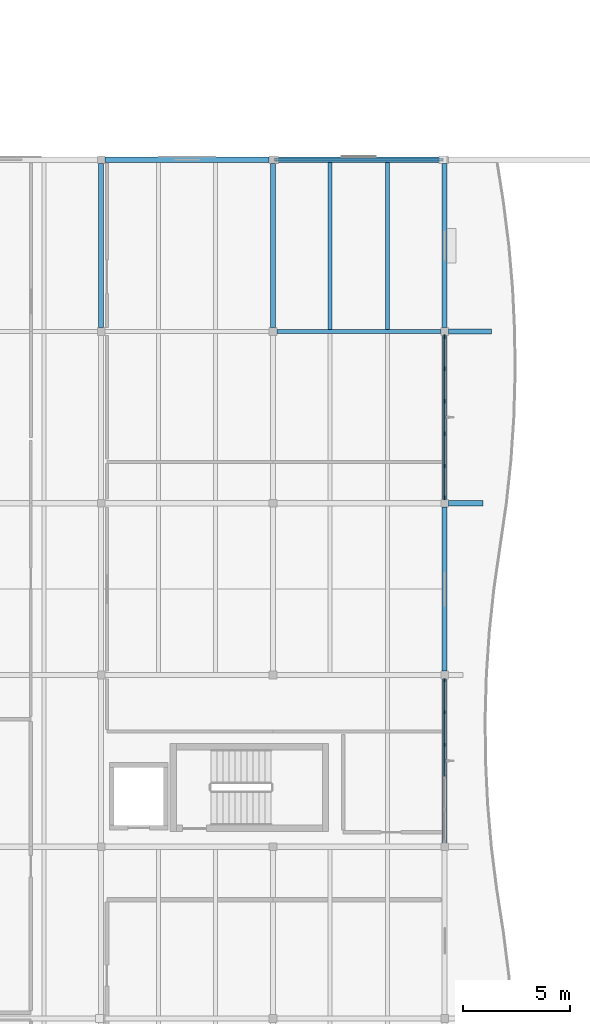
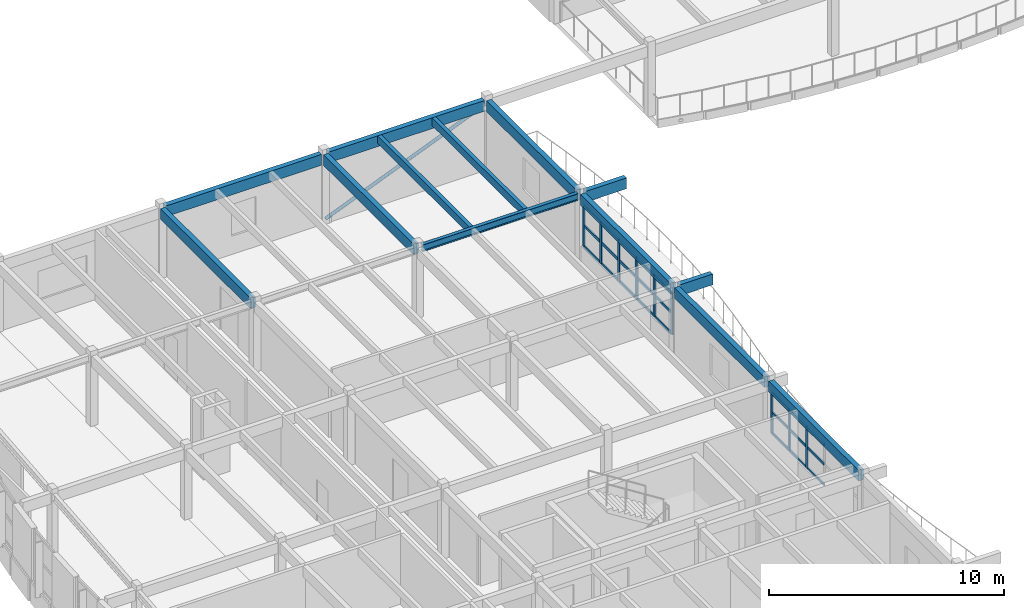
# One storey, part 12 of 63: 34 members, 13 beams, 2 elements without a shape of their own.
"""IFC4 building model written with IfcOpenShell, lengths in metres."""

from ifc_helpers import new_model, si_unit, direction, frame, origin, origin_2d, place, context, subcontext, project, spatial, rectangle, hollow_circle, i_section, extrude, material, layer, layer_set, material_profile, profile_set, type_object, element, aggregate, save


model = new_model("IFC4")

# Units and contexts
model_context = context("Model", 3, precision=1e-05, world=origin(), true_north=direction((0.0, 1.0)))
body_context = subcontext(model_context, "Body", "Model", "MODEL_VIEW")
ifc_project = project(units=[si_unit("LENGTHUNIT", "METRE"), si_unit("AREAUNIT", "SQUARE_METRE"), si_unit("VOLUMEUNIT", "CUBIC_METRE"), si_unit("PLANEANGLEUNIT", "RADIAN"), si_unit("MASSUNIT", "GRAM", prefix="KILO")], contexts=[model_context])

# Site, building, storey
site_placement = place(None, origin())
site = spatial("IfcSite", under=ifc_project, at=site_placement, CompositionType="ELEMENT")
building_placement = place(site_placement, origin())
building = spatial("IfcBuilding", under=site, at=building_placement, Name="Tonlespit Floodbar School", CompositionType="ELEMENT")
storey_placement = place(building_placement, frame((0.0, 0.0, 8.39990234375)))
storey = spatial("IfcBuildingStorey", under=building, at=storey_placement, Name="L02", CompositionType="ELEMENT", Elevation=8.39990234375)

# Beams
ifc_material_1 = material(Name="Glulam GL28h", Category="wood")
ifc_material_profile_1 = material_profile(ifc_material_1, rectangle(XDim=0.239990234375, YDim=0.56005859375, at=origin_2d()), Name="GL 240x560")
ifc_profile_set_1 = profile_set([ifc_material_profile_1], Name="Glulam GL28h")
beam_type_1 = type_object("IfcBeamType", Name="Beam_GL_240x560", PredefinedType="BEAM", material=ifc_profile_set_1)
for number, where, z_axis, x_axis, name in (
    (1, (20.179931640625, 96.0, 3.3701171875), (1.0, 0.0, 0.0), (0.0, 1.0, 0.0), "L02 girder 0954"),
    (2, (28.179931640625, 96.0, 3.3701171875), (1.0, 0.0, 0.0), (0.0, 1.0, 0.0), "L02 girder 0955"),
    (3, (20.0, 88.179931640625, 3.3701171875), (0.0, 1.0, 0.0), (-1.0, 0.0, 0.0), "L02 girder 1016"),
    (4, (28.0, 88.179931640625, 3.3701171875), (0.0, 1.0, 0.0), (-1.0, 0.0, 0.0), "L02 girder 1024"),
    (5, (36.0, 64.179931640625, 3.3701171875), (0.0, 1.0, 0.0), (-1.0, 0.0, 0.0), "L02 girder 1028"),
    (6, (36.0, 72.179931640625, 3.3701171875), (0.0, 1.0, 0.0), (-1.0, 0.0, 0.0), "L02 girder 1029"),
    (7, (36.0, 80.179931640625, 3.3701171875), (0.0, 1.0, 0.0), (-1.0, 0.0, 0.0), "L02 girder 1030"),
    (8, (36.0, 88.179931640625, 3.3701171875), (0.0, 1.0, 0.0), (-1.0, 0.0, 0.0), "L02 girder 1031"),
):
    element("IfcBeam", number, at=place(storey_placement, frame(where, z_axis=z_axis, x_axis=x_axis)), inside=storey, type_object=beam_type_1, Name=name, PredefinedType="BEAM", context=body_context, shape_type="SweptSolid", body=[
        extrude(rectangle(XDim=0.239990234375, YDim=0.56005859375, at=origin_2d()), origin(), (0.0, 0.0, 1.0), 7.64013671875),
    ])
beam_1_placement = place(storey_placement, frame((36.179931640625, 80.0, 3.3759765625), z_axis=(1.0, 0.0, 0.0), x_axis=(0.0, 1.0, 0.0)))
element("IfcBeam", 9, at=beam_1_placement, inside=storey, type_object=beam_type_1, Name="L02 V2 court gallery cantilever rib", PredefinedType="BEAM", context=body_context, shape_type="SweptSolid", body=[
    extrude(rectangle(XDim=0.239990234375, YDim=0.56005859375, at=origin_2d()), origin(), (0.0, 0.0, 1.0), 1.611572265625),
])
beam_2_placement = place(storey_placement, frame((36.179931640625, 88.0, 3.3759765625), z_axis=(1.0, 0.0, 0.0), x_axis=(0.0, 1.0, 0.0)))
element("IfcBeam", 10, at=beam_2_placement, inside=storey, type_object=beam_type_1, Name="L02 V2 court gallery cantilever rib", PredefinedType="BEAM", context=body_context, shape_type="SweptSolid", body=[
    extrude(rectangle(XDim=0.239990234375, YDim=0.56005859375, at=origin_2d()), origin(), (0.0, 0.0, 1.0), 1.997802734375),
])

# Member
ifc_material_2 = material(Name="Steel S355", Category="steel")
ifc_material_profile_2 = material_profile(ifc_material_2, hollow_circle(Radius=0.084228515625, WallThickness=0.008056640625, at=origin_2d()), Name="CHS 168.3x8")
ifc_profile_set_2 = profile_set([ifc_material_profile_2], Name="Steel S355")
member_type_1 = type_object("IfcMemberType", Name="Brace_STL_CHS168", PredefinedType="BRACE", material=ifc_profile_set_2)
member_1_placement = place(storey_placement, frame((28.080078125, 96.0, 0.150146484375), z_axis=(0.92584702609, 0.0, 0.377898510556), x_axis=(0.0, 1.0, 0.0)))
element("IfcMember", 11, at=member_1_placement, inside=storey, type_object=member_type_1, Name="L02 exposed deconstructivist lateral brace 2", PredefinedType="BRACE", context=body_context, shape_type="SweptSolid", body=[
    extrude(hollow_circle(Radius=0.084228515625, WallThickness=0.008056640625, at=origin_2d()), origin(), (0.0, 0.0, 1.0), 8.4677734375),
])

# Curtain wall, members
ifc_material_3 = material(Name="Anodised Aluminium", Category="aluminium")
ifc_layer = layer(ifc_material_3, 0.159912109375)
ifc_layer_set = layer_set([ifc_layer], Name="Anodised Aluminium")
curtain_wall_type = type_object("IfcCurtainWallType", Name="CurtainWall_7550x2150", PredefinedType="NOTDEFINED", material=ifc_layer_set)
curtain_wall_1_placement = place(storey_placement, origin())
curtain_wall_1 = element("IfcCurtainWall", 12, at=curtain_wall_1_placement, inside=storey, type_object=curtain_wall_type, Name="L02 unitised curtain wall 0298", PredefinedType="NOTDEFINED")
ifc_material_profile_3 = material_profile(ifc_material_3, rectangle(XDim=0.06494140625, YDim=0.14990234375, at=origin_2d()), Name="ALU M65x150")
ifc_profile_set_3 = profile_set([ifc_material_profile_3], Name="Anodised Aluminium")
member_type_2 = type_object("IfcMemberType", Name="CW_Mullion_65x150", PredefinedType="MULLION", material=ifc_profile_set_3)
member_2_placement = place(storey_placement, frame((36.0, 71.74755859375, 0.9501953125), z_axis=(0.0, 0.0, 1.0), x_axis=(1.0, 0.0, 0.0)))
member_2 = element("IfcMember", 13, at=member_2_placement, type_object=member_type_2, Name="CW-37 mullion 1", PredefinedType="MULLION", context=body_context, shape_type="SweptSolid", body=[
    extrude(rectangle(XDim=0.06494140625, YDim=0.14990234375, at=origin_2d()), origin(), (0.0, 0.0, 1.0), 2.139892578125),
])
member_3_placement = place(storey_placement, frame((36.0, 70.26806640625, 0.9501953125), z_axis=(0.0, 0.0, 1.0), x_axis=(1.0, 0.0, 0.0)))
member_3 = element("IfcMember", 14, at=member_3_placement, type_object=member_type_2, Name="CW-37 mullion 2", PredefinedType="MULLION", context=body_context, shape_type="SweptSolid", body=[
    extrude(rectangle(XDim=0.06494140625, YDim=0.14990234375, at=origin_2d()), origin(), (0.0, 0.0, 1.0), 2.139892578125),
])
member_4_placement = place(storey_placement, frame((36.0, 68.756103515625, 0.9501953125), z_axis=(0.0, 0.0, 1.0), x_axis=(1.0, 0.0, 0.0)))
member_4 = element("IfcMember", 15, at=member_4_placement, type_object=member_type_2, Name="CW-37 mullion 3", PredefinedType="MULLION", context=body_context, shape_type="SweptSolid", body=[
    extrude(rectangle(XDim=0.06494140625, YDim=0.14990234375, at=origin_2d()), origin(), (0.0, 0.0, 1.0), 2.139892578125),
])

curtain_wall_2_placement = place(storey_placement, origin())
curtain_wall_2 = element("IfcCurtainWall", 16, at=curtain_wall_2_placement, inside=storey, type_object=curtain_wall_type, Name="L02 unitised curtain wall 0297", PredefinedType="NOTDEFINED")
ifc_material_profile_4 = material_profile(ifc_material_3, rectangle(XDim=0.06494140625, YDim=0.179931640625, at=origin_2d()), Name="ALU M65x180")
ifc_profile_set_4 = profile_set([ifc_material_profile_4], Name="Anodised Aluminium")
member_type_3 = type_object("IfcMemberType", Name="CW_Mullion_65x180", PredefinedType="MULLION", material=ifc_profile_set_4)
member_5_placement = place(storey_placement, frame((36.0, 87.74755859375, 0.9501953125), z_axis=(0.0, 0.0, 1.0), x_axis=(1.0, 0.0, 0.0)))
member_5 = element("IfcMember", 17, at=member_5_placement, type_object=member_type_3, Name="CW-37 mullion 1", PredefinedType="MULLION", context=body_context, shape_type="SweptSolid", body=[
    extrude(rectangle(XDim=0.06494140625, YDim=0.179931640625, at=origin_2d()), origin(), (0.0, 0.0, 1.0), 2.139892578125),
])
member_6_placement = place(storey_placement, frame((36.0, 86.26806640625, 0.9501953125), z_axis=(0.0, 0.0, 1.0), x_axis=(1.0, 0.0, 0.0)))
member_6 = element("IfcMember", 18, at=member_6_placement, type_object=member_type_3, Name="CW-37 mullion 2", PredefinedType="MULLION", context=body_context, shape_type="SweptSolid", body=[
    extrude(rectangle(XDim=0.06494140625, YDim=0.179931640625, at=origin_2d()), origin(), (0.0, 0.0, 1.0), 2.139892578125),
])
member_7_placement = place(storey_placement, frame((36.0, 84.756103515625, 0.9501953125), z_axis=(0.0, 0.0, 1.0), x_axis=(1.0, 0.0, 0.0)))
member_7 = element("IfcMember", 19, at=member_7_placement, type_object=member_type_3, Name="CW-37 mullion 3", PredefinedType="MULLION", context=body_context, shape_type="SweptSolid", body=[
    extrude(rectangle(XDim=0.06494140625, YDim=0.179931640625, at=origin_2d()), origin(), (0.0, 0.0, 1.0), 2.139892578125),
])
member_8_placement = place(storey_placement, frame((36.0, 83.243896484375, 0.9501953125), z_axis=(0.0, 0.0, 1.0), x_axis=(1.0, 0.0, 0.0)))
member_8 = element("IfcMember", 20, at=member_8_placement, type_object=member_type_3, Name="CW-37 mullion 4", PredefinedType="MULLION", context=body_context, shape_type="SweptSolid", body=[
    extrude(rectangle(XDim=0.06494140625, YDim=0.179931640625, at=origin_2d()), origin(), (0.0, 0.0, 1.0), 2.139892578125),
])
member_9_placement = place(storey_placement, frame((36.0, 81.73193359375, 0.9501953125), z_axis=(0.0, 0.0, 1.0), x_axis=(1.0, 0.0, 0.0)))
member_9 = element("IfcMember", 21, at=member_9_placement, type_object=member_type_3, Name="CW-37 mullion 5", PredefinedType="MULLION", context=body_context, shape_type="SweptSolid", body=[
    extrude(rectangle(XDim=0.06494140625, YDim=0.179931640625, at=origin_2d()), origin(), (0.0, 0.0, 1.0), 2.139892578125),
])
member_10_placement = place(storey_placement, frame((36.0, 80.25244140625, 0.9501953125), z_axis=(0.0, 0.0, 1.0), x_axis=(1.0, 0.0, 0.0)))
member_10 = element("IfcMember", 22, at=member_10_placement, type_object=member_type_3, Name="CW-37 mullion 6", PredefinedType="MULLION", context=body_context, shape_type="SweptSolid", body=[
    extrude(rectangle(XDim=0.06494140625, YDim=0.179931640625, at=origin_2d()), origin(), (0.0, 0.0, 1.0), 2.139892578125),
])

# Member
ifc_material_profile_5 = material_profile(ifc_material_3, rectangle(XDim=0.06494140625, YDim=0.1201171875, at=origin_2d()), Name="ALU T65x120")
ifc_profile_set_5 = profile_set([ifc_material_profile_5], Name="Anodised Aluminium")
member_type_4 = type_object("IfcMemberType", Name="CW_Transom_65x120", PredefinedType="USERDEFINED", material=ifc_profile_set_5)
member_11_placement = place(storey_placement, frame((36.0, 71.715087890625, 0.982666015625), z_axis=(0.0, -1.0, 0.0), x_axis=(1.0, 0.0, 0.0)))
member_11 = element("IfcMember", 23, at=member_11_placement, type_object=member_type_4, Name="CW-37 transom 1.1", ObjectType="TRANSOM", PredefinedType="USERDEFINED", context=body_context, shape_type="SweptSolid", body=[
    extrude(rectangle(XDim=0.06494140625, YDim=0.1201171875, at=origin_2d()), origin(), (0.0, 0.0, 1.0), 1.41455078125),
])

member_12_placement = place(storey_placement, frame((36.0, 71.715087890625, 2.06298828125), z_axis=(0.0, -1.0, 0.0), x_axis=(1.0, 0.0, 0.0)))
member_12 = element("IfcMember", 24, at=member_12_placement, type_object=member_type_4, Name="CW-37 transom 1.2", ObjectType="TRANSOM", PredefinedType="USERDEFINED", context=body_context, shape_type="SweptSolid", body=[
    extrude(rectangle(XDim=0.06494140625, YDim=0.1201171875, at=origin_2d()), origin(), (0.0, 0.0, 1.0), 1.41455078125),
])

member_13_placement = place(storey_placement, frame((36.0, 71.715087890625, 3.0576171875), z_axis=(0.0, -1.0, 0.0), x_axis=(1.0, 0.0, 0.0)))
member_13 = element("IfcMember", 25, at=member_13_placement, type_object=member_type_4, Name="CW-37 transom 1.3", ObjectType="TRANSOM", PredefinedType="USERDEFINED", context=body_context, shape_type="SweptSolid", body=[
    extrude(rectangle(XDim=0.06494140625, YDim=0.1201171875, at=origin_2d()), origin(), (0.0, 0.0, 1.0), 1.41455078125),
])

member_14_placement = place(storey_placement, frame((36.0, 70.235595703125, 0.982666015625), z_axis=(0.0, -1.0, 0.0), x_axis=(1.0, 0.0, 0.0)))
member_14 = element("IfcMember", 26, at=member_14_placement, type_object=member_type_4, Name="CW-37 transom 2.1", ObjectType="TRANSOM", PredefinedType="USERDEFINED", context=body_context, shape_type="SweptSolid", body=[
    extrude(rectangle(XDim=0.06494140625, YDim=0.1201171875, at=origin_2d()), origin(), (0.0, 0.0, 1.0), 1.447021484375),
])

member_15_placement = place(storey_placement, frame((36.0, 70.235595703125, 2.06298828125), z_axis=(0.0, -1.0, 0.0), x_axis=(1.0, 0.0, 0.0)))
member_15 = element("IfcMember", 27, at=member_15_placement, type_object=member_type_4, Name="CW-37 transom 2.2", ObjectType="TRANSOM", PredefinedType="USERDEFINED", context=body_context, shape_type="SweptSolid", body=[
    extrude(rectangle(XDim=0.06494140625, YDim=0.1201171875, at=origin_2d()), origin(), (0.0, 0.0, 1.0), 1.447021484375),
])

member_16_placement = place(storey_placement, frame((36.0, 70.235595703125, 3.0576171875), z_axis=(0.0, -1.0, 0.0), x_axis=(1.0, 0.0, 0.0)))
member_16 = element("IfcMember", 28, at=member_16_placement, type_object=member_type_4, Name="CW-37 transom 2.3", ObjectType="TRANSOM", PredefinedType="USERDEFINED", context=body_context, shape_type="SweptSolid", body=[
    extrude(rectangle(XDim=0.06494140625, YDim=0.1201171875, at=origin_2d()), origin(), (0.0, 0.0, 1.0), 1.447021484375),
])

member_17_placement = place(storey_placement, frame((36.0, 68.723388671875, 0.982666015625), z_axis=(0.0, -1.0, 0.0), x_axis=(1.0, 0.0, 0.0)))
member_17 = element("IfcMember", 29, at=member_17_placement, type_object=member_type_4, Name="CW-37 transom 3.1", ObjectType="TRANSOM", PredefinedType="USERDEFINED", context=body_context, shape_type="SweptSolid", body=[
    extrude(rectangle(XDim=0.06494140625, YDim=0.1201171875, at=origin_2d()), origin(), (0.0, 0.0, 1.0), 1.44677734375),
])

member_18_placement = place(storey_placement, frame((36.0, 68.723388671875, 2.06298828125), z_axis=(0.0, -1.0, 0.0), x_axis=(1.0, 0.0, 0.0)))
member_18 = element("IfcMember", 30, at=member_18_placement, type_object=member_type_4, Name="CW-37 transom 3.2", ObjectType="TRANSOM", PredefinedType="USERDEFINED", context=body_context, shape_type="SweptSolid", body=[
    extrude(rectangle(XDim=0.06494140625, YDim=0.1201171875, at=origin_2d()), origin(), (0.0, 0.0, 1.0), 1.44677734375),
])

member_19_placement = place(storey_placement, frame((36.0, 68.723388671875, 3.0576171875), z_axis=(0.0, -1.0, 0.0), x_axis=(1.0, 0.0, 0.0)))
member_19 = element("IfcMember", 31, at=member_19_placement, type_object=member_type_4, Name="CW-37 transom 3.3", ObjectType="TRANSOM", PredefinedType="USERDEFINED", context=body_context, shape_type="SweptSolid", body=[
    extrude(rectangle(XDim=0.06494140625, YDim=0.1201171875, at=origin_2d()), origin(), (0.0, 0.0, 1.0), 1.44677734375),
])

aggregate(curtain_wall_1, [member_2, member_3, member_4, member_11, member_12, member_13, member_14, member_15, member_16, member_17, member_18, member_19])

ifc_material_profile_6 = material_profile(ifc_material_3, rectangle(XDim=0.06494140625, YDim=0.139892578125, at=origin_2d()), Name="ALU T65x140")
ifc_profile_set_6 = profile_set([ifc_material_profile_6], Name="Anodised Aluminium")
member_type_5 = type_object("IfcMemberType", Name="CW_Transom_65x140", PredefinedType="USERDEFINED", material=ifc_profile_set_6)
member_20_placement = place(storey_placement, frame((36.0, 87.715087890625, 0.982666015625), z_axis=(0.0, -1.0, 0.0), x_axis=(1.0, 0.0, 0.0)))
member_20 = element("IfcMember", 32, at=member_20_placement, type_object=member_type_5, Name="CW-37 transom 1.1", ObjectType="TRANSOM", PredefinedType="USERDEFINED", context=body_context, shape_type="SweptSolid", body=[
    extrude(rectangle(XDim=0.06494140625, YDim=0.139892578125, at=origin_2d()), origin(), (0.0, 0.0, 1.0), 1.41455078125),
])

member_21_placement = place(storey_placement, frame((36.0, 87.715087890625, 2.06298828125), z_axis=(0.0, -1.0, 0.0), x_axis=(1.0, 0.0, 0.0)))
member_21 = element("IfcMember", 33, at=member_21_placement, type_object=member_type_5, Name="CW-37 transom 1.2", ObjectType="TRANSOM", PredefinedType="USERDEFINED", context=body_context, shape_type="SweptSolid", body=[
    extrude(rectangle(XDim=0.06494140625, YDim=0.139892578125, at=origin_2d()), origin(), (0.0, 0.0, 1.0), 1.41455078125),
])

member_22_placement = place(storey_placement, frame((36.0, 87.715087890625, 3.0576171875), z_axis=(0.0, -1.0, 0.0), x_axis=(1.0, 0.0, 0.0)))
member_22 = element("IfcMember", 34, at=member_22_placement, type_object=member_type_5, Name="CW-37 transom 1.3", ObjectType="TRANSOM", PredefinedType="USERDEFINED", context=body_context, shape_type="SweptSolid", body=[
    extrude(rectangle(XDim=0.06494140625, YDim=0.139892578125, at=origin_2d()), origin(), (0.0, 0.0, 1.0), 1.41455078125),
])

member_23_placement = place(storey_placement, frame((36.0, 86.235595703125, 0.982666015625), z_axis=(0.0, -1.0, 0.0), x_axis=(1.0, 0.0, 0.0)))
member_23 = element("IfcMember", 35, at=member_23_placement, type_object=member_type_5, Name="CW-37 transom 2.1", ObjectType="TRANSOM", PredefinedType="USERDEFINED", context=body_context, shape_type="SweptSolid", body=[
    extrude(rectangle(XDim=0.06494140625, YDim=0.139892578125, at=origin_2d()), origin(), (0.0, 0.0, 1.0), 1.447021484375),
])

member_24_placement = place(storey_placement, frame((36.0, 86.235595703125, 2.06298828125), z_axis=(0.0, -1.0, 0.0), x_axis=(1.0, 0.0, 0.0)))
member_24 = element("IfcMember", 36, at=member_24_placement, type_object=member_type_5, Name="CW-37 transom 2.2", ObjectType="TRANSOM", PredefinedType="USERDEFINED", context=body_context, shape_type="SweptSolid", body=[
    extrude(rectangle(XDim=0.06494140625, YDim=0.139892578125, at=origin_2d()), origin(), (0.0, 0.0, 1.0), 1.447021484375),
])

member_25_placement = place(storey_placement, frame((36.0, 86.235595703125, 3.0576171875), z_axis=(0.0, -1.0, 0.0), x_axis=(1.0, 0.0, 0.0)))
member_25 = element("IfcMember", 37, at=member_25_placement, type_object=member_type_5, Name="CW-37 transom 2.3", ObjectType="TRANSOM", PredefinedType="USERDEFINED", context=body_context, shape_type="SweptSolid", body=[
    extrude(rectangle(XDim=0.06494140625, YDim=0.139892578125, at=origin_2d()), origin(), (0.0, 0.0, 1.0), 1.447021484375),
])

member_26_placement = place(storey_placement, frame((36.0, 84.723388671875, 0.982666015625), z_axis=(0.0, -1.0, 0.0), x_axis=(1.0, 0.0, 0.0)))
member_26 = element("IfcMember", 38, at=member_26_placement, type_object=member_type_5, Name="CW-37 transom 3.1", ObjectType="TRANSOM", PredefinedType="USERDEFINED", context=body_context, shape_type="SweptSolid", body=[
    extrude(rectangle(XDim=0.06494140625, YDim=0.139892578125, at=origin_2d()), origin(), (0.0, 0.0, 1.0), 1.44677734375),
])

member_27_placement = place(storey_placement, frame((36.0, 84.723388671875, 2.06298828125), z_axis=(0.0, -1.0, 0.0), x_axis=(1.0, 0.0, 0.0)))
member_27 = element("IfcMember", 39, at=member_27_placement, type_object=member_type_5, Name="CW-37 transom 3.2", ObjectType="TRANSOM", PredefinedType="USERDEFINED", context=body_context, shape_type="SweptSolid", body=[
    extrude(rectangle(XDim=0.06494140625, YDim=0.139892578125, at=origin_2d()), origin(), (0.0, 0.0, 1.0), 1.44677734375),
])

member_28_placement = place(storey_placement, frame((36.0, 84.723388671875, 3.0576171875), z_axis=(0.0, -1.0, 0.0), x_axis=(1.0, 0.0, 0.0)))
member_28 = element("IfcMember", 40, at=member_28_placement, type_object=member_type_5, Name="CW-37 transom 3.3", ObjectType="TRANSOM", PredefinedType="USERDEFINED", context=body_context, shape_type="SweptSolid", body=[
    extrude(rectangle(XDim=0.06494140625, YDim=0.139892578125, at=origin_2d()), origin(), (0.0, 0.0, 1.0), 1.44677734375),
])

member_29_placement = place(storey_placement, frame((36.0, 83.21142578125, 0.982666015625), z_axis=(0.0, -1.0, 0.0), x_axis=(1.0, 0.0, 0.0)))
member_29 = element("IfcMember", 41, at=member_29_placement, type_object=member_type_5, Name="CW-37 transom 4.1", ObjectType="TRANSOM", PredefinedType="USERDEFINED", context=body_context, shape_type="SweptSolid", body=[
    extrude(rectangle(XDim=0.06494140625, YDim=0.139892578125, at=origin_2d()), origin(), (0.0, 0.0, 1.0), 1.447021484375),
])

member_30_placement = place(storey_placement, frame((36.0, 83.21142578125, 2.06298828125), z_axis=(0.0, -1.0, 0.0), x_axis=(1.0, 0.0, 0.0)))
member_30 = element("IfcMember", 42, at=member_30_placement, type_object=member_type_5, Name="CW-37 transom 4.2", ObjectType="TRANSOM", PredefinedType="USERDEFINED", context=body_context, shape_type="SweptSolid", body=[
    extrude(rectangle(XDim=0.06494140625, YDim=0.139892578125, at=origin_2d()), origin(), (0.0, 0.0, 1.0), 1.447021484375),
])

member_31_placement = place(storey_placement, frame((36.0, 83.21142578125, 3.0576171875), z_axis=(0.0, -1.0, 0.0), x_axis=(1.0, 0.0, 0.0)))
member_31 = element("IfcMember", 43, at=member_31_placement, type_object=member_type_5, Name="CW-37 transom 4.3", ObjectType="TRANSOM", PredefinedType="USERDEFINED", context=body_context, shape_type="SweptSolid", body=[
    extrude(rectangle(XDim=0.06494140625, YDim=0.139892578125, at=origin_2d()), origin(), (0.0, 0.0, 1.0), 1.447021484375),
])

member_32_placement = place(storey_placement, frame((36.0, 81.699462890625, 0.982666015625), z_axis=(0.0, -1.0, 0.0), x_axis=(1.0, 0.0, 0.0)))
member_32 = element("IfcMember", 44, at=member_32_placement, type_object=member_type_5, Name="CW-37 transom 5.1", ObjectType="TRANSOM", PredefinedType="USERDEFINED", context=body_context, shape_type="SweptSolid", body=[
    extrude(rectangle(XDim=0.06494140625, YDim=0.139892578125, at=origin_2d()), origin(), (0.0, 0.0, 1.0), 1.41455078125),
])

member_33_placement = place(storey_placement, frame((36.0, 81.699462890625, 2.06298828125), z_axis=(0.0, -1.0, 0.0), x_axis=(1.0, 0.0, 0.0)))
member_33 = element("IfcMember", 45, at=member_33_placement, type_object=member_type_5, Name="CW-37 transom 5.2", ObjectType="TRANSOM", PredefinedType="USERDEFINED", context=body_context, shape_type="SweptSolid", body=[
    extrude(rectangle(XDim=0.06494140625, YDim=0.139892578125, at=origin_2d()), origin(), (0.0, 0.0, 1.0), 1.41455078125),
])

member_34_placement = place(storey_placement, frame((36.0, 81.699462890625, 3.0576171875), z_axis=(0.0, -1.0, 0.0), x_axis=(1.0, 0.0, 0.0)))
member_34 = element("IfcMember", 46, at=member_34_placement, type_object=member_type_5, Name="CW-37 transom 5.3", ObjectType="TRANSOM", PredefinedType="USERDEFINED", context=body_context, shape_type="SweptSolid", body=[
    extrude(rectangle(XDim=0.06494140625, YDim=0.139892578125, at=origin_2d()), origin(), (0.0, 0.0, 1.0), 1.41455078125),
])

aggregate(curtain_wall_2, [member_5, member_6, member_7, member_8, member_9, member_10, member_20, member_21, member_22, member_23, member_24, member_25, member_26, member_27, member_28, member_29, member_30, member_31, member_32, member_33, member_34])

# Beams
ifc_material_profile_7 = material_profile(ifc_material_1, rectangle(XDim=0.179931640625, YDim=0.39990234375, at=origin_2d()), Name="GL 180x400")
ifc_profile_set_7 = profile_set([ifc_material_profile_7], Name="Glulam GL28h")
beam_type_2 = type_object("IfcBeamType", Name="Joist_GL_180x400", PredefinedType="JOIST", material=ifc_profile_set_7)
for number, where, z_axis, x_axis, name in (
    (47, (30.666748046875, 88.0849609375, 3.4501953125), (0.0, 1.0, 0.0), (-1.0, 0.0, 0.0), "L02 secondary joist 1102"),
    (48, (33.333251953125, 88.0849609375, 3.4501953125), (0.0, 1.0, 0.0), (-1.0, 0.0, 0.0), "L02 secondary joist 1103"),
):
    element("IfcBeam", number, at=place(storey_placement, frame(where, z_axis=z_axis, x_axis=x_axis)), inside=storey, type_object=beam_type_2, Name=name, PredefinedType="JOIST", context=body_context, shape_type="SweptSolid", body=[
        extrude(rectangle(XDim=0.179931640625, YDim=0.39990234375, at=origin_2d()), origin(), (0.0, 0.0, 1.0), 7.794921875),
    ])
ifc_material_profile_8 = material_profile(ifc_material_2, i_section(OverallWidth=0.169921875, OverallDepth=0.360107421875, WebThickness=0.008056640625, FlangeThickness=0.0126953125, at=origin_2d()), Name="IPE 360")
ifc_profile_set_8 = profile_set([ifc_material_profile_8], Name="Steel S355")
beam_type_3 = type_object("IfcBeamType", Name="Spandrel_STL_IPE360", PredefinedType="SPANDREL", material=ifc_profile_set_8)
beam_3_placement = place(storey_placement, frame((28.179931640625, 88.0, 3.47021484375), z_axis=(1.0, 0.0, 0.0), x_axis=(0.0, 1.0, 0.0)))
element("IfcBeam", 49, at=beam_3_placement, inside=storey, type_object=beam_type_3, Name="L02 girder 0951", PredefinedType="SPANDREL", context=body_context, shape_type="SweptSolid", body=[
    extrude(i_section(OverallWidth=0.169921875, OverallDepth=0.360107421875, WebThickness=0.008056640625, FlangeThickness=0.0126953125, at=origin_2d()), origin(), (0.0, 0.0, 1.0), 7.64013671875),
])

save(model, "model.ifc")
